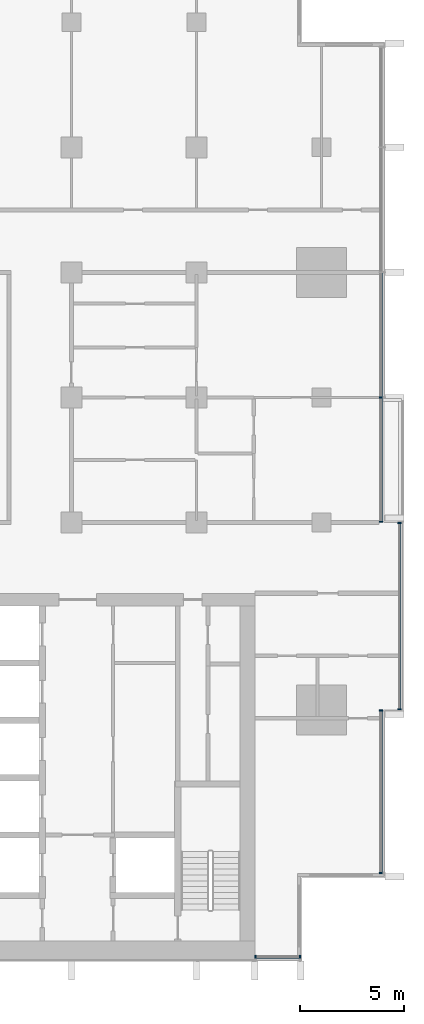
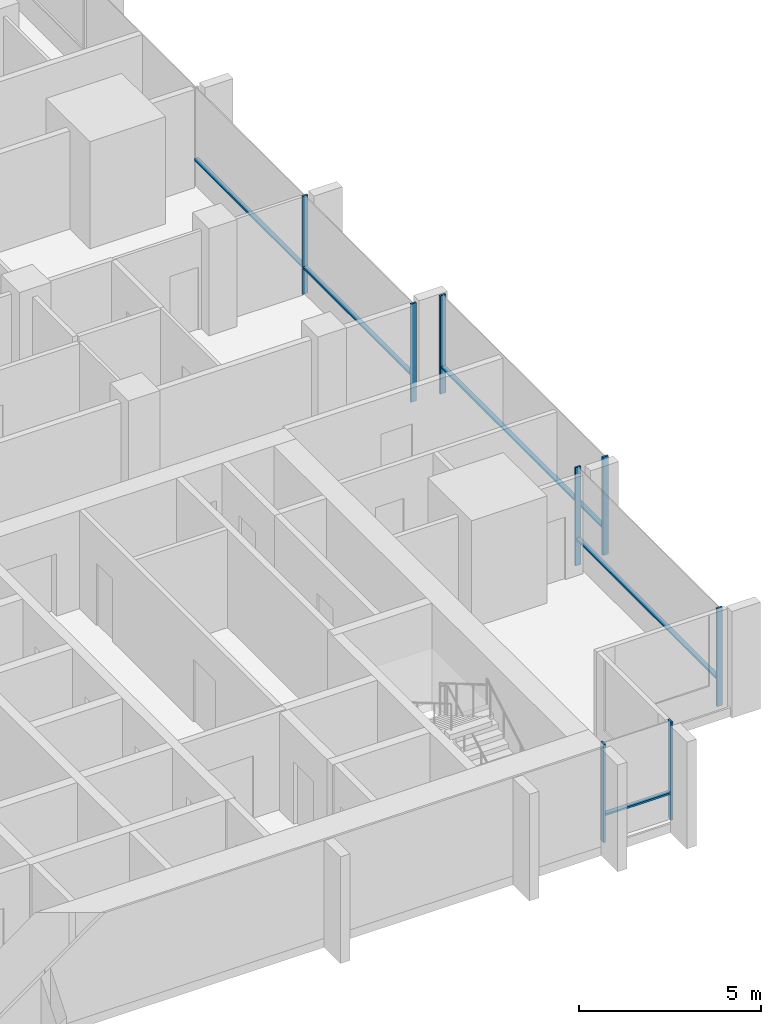
# One storey, part 3 of 16: 13 members, 4 elements without a shape of their own.
"""IFC4 building model written with IfcOpenShell, lengths in metres."""

from ifc_helpers import new_model, si_unit, direction, frame, origin, origin_2d, place, context, subcontext, project, spatial, rectangle, extrude, material, material_profile, profile_set, type_object, element, aggregate, save


model = new_model("IFC4")

# Units and contexts
model_context = context("Model", 3, precision=1e-05, world=origin(), true_north=direction((0.0, 1.0)))
body_context = subcontext(model_context, "Body", "Model", "MODEL_VIEW")
ifc_project = project(units=[si_unit("LENGTHUNIT", "METRE"), si_unit("AREAUNIT", "SQUARE_METRE"), si_unit("VOLUMEUNIT", "CUBIC_METRE"), si_unit("PLANEANGLEUNIT", "RADIAN"), si_unit("MASSUNIT", "GRAM", prefix="KILO")], contexts=[model_context])

# Site, building, storey
site_placement = place(None, origin())
site = spatial("IfcSite", under=ifc_project, at=site_placement, CompositionType="ELEMENT")
building_placement = place(site_placement, origin())
building = spatial("IfcBuilding", under=site, at=building_placement, Name="Finial Court Residences", CompositionType="ELEMENT")
storey_placement = place(building_placement, frame((0.0, 0.0, 188.89990234375)))
storey = spatial("IfcBuildingStorey", under=building, at=storey_placement, Name="L47", CompositionType="ELEMENT", Elevation=188.89990234375)

# Curtain wall, members
ifc_material = material(Name="Bronze anodised aluminium", Category="aluminium")
curtain_wall_type = type_object("IfcCurtainWallType", Name="Unitised curtain wall, upper zones", PredefinedType="NOTDEFINED", material=ifc_material)
curtain_wall_1_placement = place(storey_placement, origin())
curtain_wall_1 = element("IfcCurtainWall", 1, at=curtain_wall_1_placement, inside=storey, type_object=curtain_wall_type, Name="E-L47-CW-E4", PredefinedType="NOTDEFINED")
ifc_material_profile_1 = material_profile(ifc_material, rectangle(XDim=0.175048828125, YDim=0.06005859375, at=origin_2d()), Name="CW2 mullion 60 x 175")
ifc_profile_set_1 = profile_set([ifc_material_profile_1], Name="Bronze anodised aluminium")
member_type_1 = type_object("IfcMemberType", Name="CW2 mullion 60 x 175", PredefinedType="MULLION", material=ifc_profile_set_1)
member_1_placement = place(storey_placement, frame((19.35009765625, -21.320068359375, 0.0), z_axis=(0.0, 0.0, 1.0), x_axis=(-1.0, 0.0, 0.0)))
member_1 = element("IfcMember", 2, at=member_1_placement, type_object=member_type_1, Name="CW2 mullion 1", PredefinedType="MULLION", context=body_context, shape_type="SweptSolid", body=[
    extrude(rectangle(XDim=0.175048828125, YDim=0.06005859375, at=origin_2d()), origin(), (0.0, 0.0, 1.0), 3.300048828125),
])
member_2_placement = place(storey_placement, frame((19.35009765625, -13.530029296875, 0.0), z_axis=(0.0, 0.0, 1.0), x_axis=(-1.0, 0.0, 0.0)))
member_2 = element("IfcMember", 3, at=member_2_placement, type_object=member_type_1, Name="CW2 mullion 2", PredefinedType="MULLION", context=body_context, shape_type="SweptSolid", body=[
    extrude(rectangle(XDim=0.175048828125, YDim=0.06005859375, at=origin_2d()), origin(), (0.0, 0.0, 1.0), 3.300048828125),
])

curtain_wall_2_placement = place(storey_placement, origin())
curtain_wall_2 = element("IfcCurtainWall", 4, at=curtain_wall_2_placement, inside=storey, type_object=curtain_wall_type, Name="E-L47-CW-E5", PredefinedType="NOTDEFINED")
member_3_placement = place(storey_placement, frame((20.25, -13.469970703125, 0.0), z_axis=(0.0, 0.0, 1.0), x_axis=(-1.0, 0.0, 0.0)))
member_3 = element("IfcMember", 5, at=member_3_placement, type_object=member_type_1, Name="CW2 mullion 1", PredefinedType="MULLION", context=body_context, shape_type="SweptSolid", body=[
    extrude(rectangle(XDim=0.175048828125, YDim=0.06005859375, at=origin_2d()), origin(), (0.0, 0.0, 1.0), 3.300048828125),
])
member_4_placement = place(storey_placement, frame((20.25, -4.530029296875, 0.0), z_axis=(0.0, 0.0, 1.0), x_axis=(-1.0, 0.0, 0.0)))
member_4 = element("IfcMember", 6, at=member_4_placement, type_object=member_type_1, Name="CW2 mullion 2", PredefinedType="MULLION", context=body_context, shape_type="SweptSolid", body=[
    extrude(rectangle(XDim=0.175048828125, YDim=0.06005859375, at=origin_2d()), origin(), (0.0, 0.0, 1.0), 3.300048828125),
])

curtain_wall_3_placement = place(storey_placement, origin())
curtain_wall_3 = element("IfcCurtainWall", 7, at=curtain_wall_3_placement, inside=storey, type_object=curtain_wall_type, Name="E-L47-CW-E6", PredefinedType="NOTDEFINED")
member_5_placement = place(storey_placement, frame((19.35009765625, -4.469970703125, 0.0), z_axis=(0.0, 0.0, 1.0), x_axis=(-1.0, 0.0, 0.0)))
member_5 = element("IfcMember", 8, at=member_5_placement, type_object=member_type_1, Name="CW2 mullion 1", PredefinedType="MULLION", context=body_context, shape_type="SweptSolid", body=[
    extrude(rectangle(XDim=0.175048828125, YDim=0.06005859375, at=origin_2d()), origin(), (0.0, 0.0, 1.0), 3.300048828125),
])
member_6_placement = place(storey_placement, frame((19.35009765625, 1.5, 0.0), z_axis=(0.0, 0.0, 1.0), x_axis=(-1.0, 0.0, 0.0)))
member_6 = element("IfcMember", 9, at=member_6_placement, type_object=member_type_1, Name="CW2 mullion 2", PredefinedType="MULLION", context=body_context, shape_type="SweptSolid", body=[
    extrude(rectangle(XDim=0.175048828125, YDim=0.06005859375, at=origin_2d()), origin(), (0.0, 0.0, 1.0), 3.300048828125),
])

curtain_wall_4_placement = place(storey_placement, origin())
curtain_wall_4 = element("IfcCurtainWall", 10, at=curtain_wall_4_placement, inside=storey, type_object=curtain_wall_type, Name="E-L47-CW-S8", PredefinedType="NOTDEFINED")
member_7_placement = place(storey_placement, frame((13.330078125, -25.35009765625, 0.0), z_axis=(0.0, 0.0, 1.0), x_axis=(0.0, 1.0, 0.0)))
member_7 = element("IfcMember", 11, at=member_7_placement, type_object=member_type_1, Name="CW2 mullion 1", PredefinedType="MULLION", context=body_context, shape_type="SweptSolid", body=[
    extrude(rectangle(XDim=0.175048828125, YDim=0.06005859375, at=origin_2d()), origin(), (0.0, 0.0, 1.0), 3.300048828125),
])
member_8_placement = place(storey_placement, frame((15.469970703125, -25.35009765625, 0.0), z_axis=(0.0, 0.0, 1.0), x_axis=(0.0, 1.0, 0.0)))
member_8 = element("IfcMember", 12, at=member_8_placement, type_object=member_type_1, Name="CW2 mullion 2", PredefinedType="MULLION", context=body_context, shape_type="SweptSolid", body=[
    extrude(rectangle(XDim=0.175048828125, YDim=0.06005859375, at=origin_2d()), origin(), (0.0, 0.0, 1.0), 3.300048828125),
])

# Member
ifc_material_profile_2 = material_profile(ifc_material, rectangle(XDim=0.139892578125, YDim=0.06005859375, at=origin_2d()), Name="CW2 transom 60 x 140")
ifc_profile_set_2 = profile_set([ifc_material_profile_2], Name="Bronze anodised aluminium")
member_type_2 = type_object("IfcMemberType", Name="CW2 transom 60 x 140", PredefinedType="USERDEFINED", material=ifc_profile_set_2)
member_9_placement = place(storey_placement, frame((19.35009765625, -21.2900390625, 0.900146484375), z_axis=(0.0, 1.0, 0.0), x_axis=(-1.0, 0.0, 0.0)))
member_9 = element("IfcMember", 13, at=member_9_placement, type_object=member_type_2, Name="CW2 transom 1.1", ObjectType="TRANSOM", PredefinedType="USERDEFINED", context=body_context, shape_type="SweptSolid", body=[
    extrude(rectangle(XDim=0.139892578125, YDim=0.06005859375, at=origin_2d()), origin(), (0.0, 0.0, 1.0), 7.72998046875),
])

aggregate(curtain_wall_1, [member_1, member_2, member_9])

member_10_placement = place(storey_placement, frame((20.25, -13.43994140625, 0.900146484375), z_axis=(0.0, 1.0, 0.0), x_axis=(-1.0, 0.0, 0.0)))
member_10 = element("IfcMember", 14, at=member_10_placement, type_object=member_type_2, Name="CW2 transom 1.1", ObjectType="TRANSOM", PredefinedType="USERDEFINED", context=body_context, shape_type="SweptSolid", body=[
    extrude(rectangle(XDim=0.139892578125, YDim=0.06005859375, at=origin_2d()), origin(), (0.0, 0.0, 1.0), 8.8798828125),
])

aggregate(curtain_wall_2, [member_3, member_4, member_10])

member_11_placement = place(storey_placement, frame((19.35009765625, -4.43994140625, 0.900146484375), z_axis=(0.0, 1.0, 0.0), x_axis=(-1.0, 0.0, 0.0)))
member_11 = element("IfcMember", 15, at=member_11_placement, type_object=member_type_2, Name="CW2 transom 1.1", ObjectType="TRANSOM", PredefinedType="USERDEFINED", context=body_context, shape_type="SweptSolid", body=[
    extrude(rectangle(XDim=0.139892578125, YDim=0.06005859375, at=origin_2d()), origin(), (0.0, 0.0, 1.0), 5.909912109375),
])

member_12_placement = place(storey_placement, frame((19.35009765625, 1.530029296875, 0.900146484375), z_axis=(0.0, 1.0, 0.0), x_axis=(-1.0, 0.0, 0.0)))
member_12 = element("IfcMember", 16, at=member_12_placement, type_object=member_type_2, Name="CW2 transom 2.1", ObjectType="TRANSOM", PredefinedType="USERDEFINED", context=body_context, shape_type="SweptSolid", body=[
    extrude(rectangle(XDim=0.139892578125, YDim=0.06005859375, at=origin_2d()), origin(), (0.0, 0.0, 1.0), 5.93994140625),
])

aggregate(curtain_wall_3, [member_5, member_6, member_11, member_12])

member_13_placement = place(storey_placement, frame((13.360107421875, -25.35009765625, 0.900146484375), z_axis=(1.0, 0.0, 0.0), x_axis=(0.0, 1.0, 0.0)))
member_13 = element("IfcMember", 17, at=member_13_placement, type_object=member_type_2, Name="CW2 transom 1.1", ObjectType="TRANSOM", PredefinedType="USERDEFINED", context=body_context, shape_type="SweptSolid", body=[
    extrude(rectangle(XDim=0.139892578125, YDim=0.06005859375, at=origin_2d()), origin(), (0.0, 0.0, 1.0), 2.079833984375),
])

aggregate(curtain_wall_4, [member_7, member_8, member_13])

save(model, "model.ifc")
